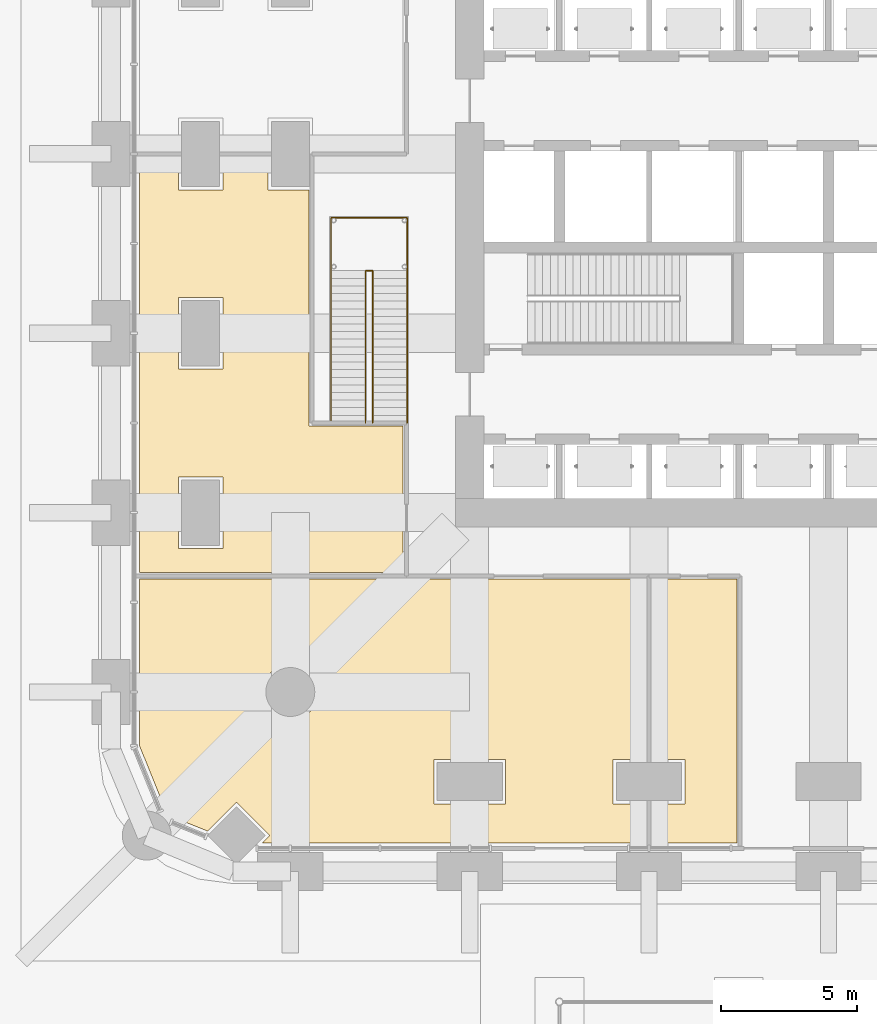
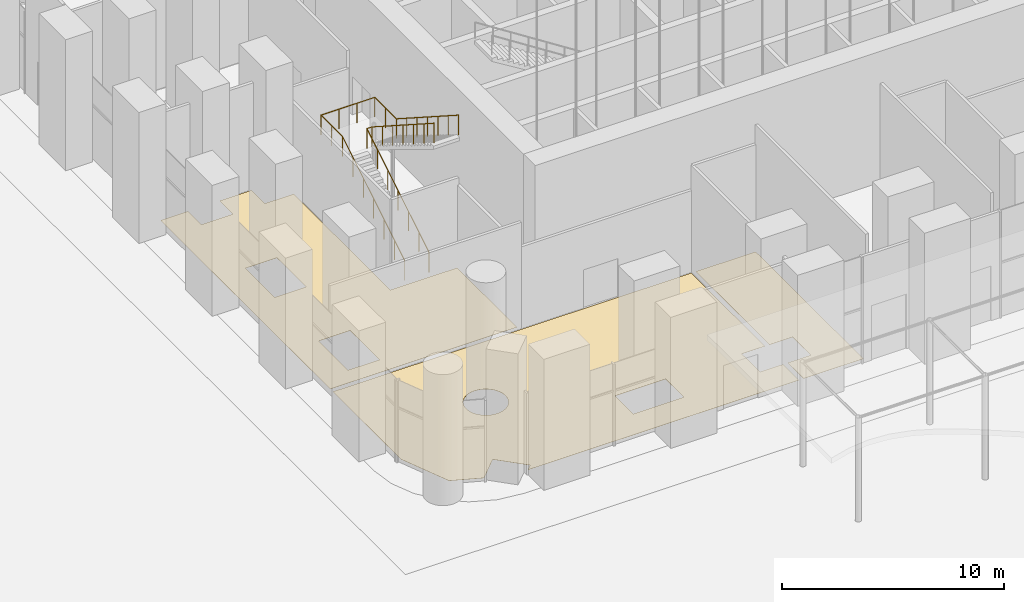
# One storey, part 19 of 32: 3 coverings, 2 railings.
"""IFC4 building model written with IfcOpenShell, lengths in metres."""

import ifcopenshell
import ifcopenshell.guid

model = None  # the IFC model being written
_history = None  # IfcOwnerHistory: only IFC2X3 demands one
_inside = {}  # id of a spatial element -> (the spatial element, [elements in it])
_under = {}  # id of a project, library or spatial element -> (it, [spatial elements below it])
_declared = {}  # id of a project -> (the project, [libraries it declares])
_typed = {}  # id of a type object -> (the type object, [elements of that type])
_made_of = {}  # id of a material, layer set ... -> (it, [elements and type objects made of it])


def new_model(schema):
    """Start an empty IFC model of exactly this schema.

    Asked for "IFC4X3", IfcOpenShell would pick the latest addendum, in which some entities
    have other attributes; the version numbers below select the first issue.
    IFC2X3 requires an IfcOwnerHistory on every rooted entity: one is made here for all.
    """
    global model, _history
    if schema == "IFC4X3":
        model = ifcopenshell.file(schema_version=(4, 3, 0, 0))
    else:
        model = ifcopenshell.file(schema=schema)
    _inside.clear()
    _under.clear()
    _declared.clear()
    _typed.clear()
    _made_of.clear()
    _history = None
    if model.schema == "IFC2X3":
        org = make("IfcOrganization", Name="unknown")
        user = make(
            "IfcPersonAndOrganization",
            ThePerson=make("IfcPerson", FamilyName="unknown"),
            TheOrganization=org,
        )
        app = make(
            "IfcApplication",
            ApplicationDeveloper=org,
            Version="unknown",
            ApplicationFullName="unknown",
            ApplicationIdentifier="unknown",
        )
        _history = make(
            "IfcOwnerHistory",
            OwningUser=user,
            OwningApplication=app,
            ChangeAction="ADDED",
            CreationDate=0,
        )
    return model


def make(cls, **values):
    """One entity of the class cls with the attributes given. An attribute that is None is left unset."""
    return model.create_entity(
        cls, **{name: value for name, value in values.items() if value is not None}
    )


def rooted(cls, **values):
    """An entity with a GlobalId (a new one), such as an element, a storey or a relation."""
    return make(cls, GlobalId=ifcopenshell.guid.new(), OwnerHistory=_history, **values)


def si_unit(unit_type, name, prefix=None):
    """IfcSIUnit, for example si_unit("LENGTHUNIT", "METRE", prefix="MILLI")."""
    return make("IfcSIUnit", UnitType=unit_type, Prefix=prefix, Name=name)


def assignment(units):
    """IfcUnitAssignment: the units of a project."""
    return None if units is None else make("IfcUnitAssignment", Units=units)


def point(xyz):
    """IfcCartesianPoint."""
    return None if xyz is None else make("IfcCartesianPoint", Coordinates=xyz)


def direction(xyz):
    """IfcDirection."""
    return None if xyz is None else make("IfcDirection", DirectionRatios=xyz)


def frame(location, z_axis=None, x_axis=None):
    """IfcAxis2Placement3D, a coordinate frame: its origin and axes. An axis left out is left unset."""
    return make(
        "IfcAxis2Placement3D",
        Location=point(location),
        Axis=direction(z_axis),
        RefDirection=direction(x_axis),
    )


def origin():
    """The frame at (0, 0, 0) with its axes left unset."""
    return frame((0.0, 0.0, 0.0))


def place(relative_to, where):
    """IfcLocalPlacement: puts the frame where relative to a parent placement (None: the world)."""
    return make(
        "IfcLocalPlacement", PlacementRelTo=relative_to, RelativePlacement=where
    )


def context(
    kind, dimensions, precision=None, world=None, true_north=None, identifier=None
):
    """IfcGeometricRepresentationContext, for example the 3D "Model" context."""
    return make(
        "IfcGeometricRepresentationContext",
        ContextIdentifier=identifier,
        ContextType=kind,
        CoordinateSpaceDimension=dimensions,
        Precision=precision,
        WorldCoordinateSystem=world,
        TrueNorth=true_north,
    )


def subcontext(parent, identifier, kind, view, scale=None):
    """IfcGeometricRepresentationSubContext, for example "Body" below "Model"."""
    return make(
        "IfcGeometricRepresentationSubContext",
        ContextIdentifier=identifier,
        ContextType=kind,
        ParentContext=parent,
        TargetScale=scale,
        TargetView=view,
    )


def project(units=None, contexts=None):
    """IfcProject with its units and contexts."""
    return rooted(
        "IfcProject",
        Name="project",
        RepresentationContexts=contexts,
        UnitsInContext=assignment(units),
    )


def spatial(cls, under=None, at=None, **own):
    """A site, building, storey or space (cls), placed at a placement, below another one or the project."""
    s = rooted(cls, ObjectPlacement=at, **own)
    if under is not None:
        _under.setdefault(under.id(), (under, []))[1].append(s)
    return s


def polyline(points):
    """IfcPolyline through the points."""
    return make("IfcPolyline", Points=[point(p) for p in points])


def outline(outer, holes=None, kind="AREA"):
    """IfcArbitraryClosedProfileDef: a profile drawn as a closed curve; with holes, ...WithVoids."""
    if holes is None:
        return make("IfcArbitraryClosedProfileDef", ProfileType=kind, OuterCurve=outer)
    return make(
        "IfcArbitraryProfileDefWithVoids",
        ProfileType=kind,
        OuterCurve=outer,
        InnerCurves=holes,
    )


def extrude(swept, where, along, depth):
    """IfcExtrudedAreaSolid: the profile swept, set in the frame where, extruded along a direction by depth."""
    return make(
        "IfcExtrudedAreaSolid",
        SweptArea=swept,
        Position=where,
        ExtrudedDirection=direction(along),
        Depth=depth,
    )


def shape(context_of_items, identifier, shape_type, items):
    """IfcShapeRepresentation: the items that make up one representation, for example the "Body"."""
    return make(
        "IfcShapeRepresentation",
        ContextOfItems=context_of_items,
        RepresentationIdentifier=identifier,
        RepresentationType=shape_type,
        Items=items,
    )


def material(Name=None, Category=None):
    """IfcMaterial."""
    return make("IfcMaterial", Name=Name, Category=Category)


def layer(
    of_material, thickness, ventilated=None, Name=None, Category=None, Priority=None
):
    """IfcMaterialLayer: one layer of a wall or slab, of a material (None: an air gap)."""
    return make(
        "IfcMaterialLayer",
        Material=of_material,
        LayerThickness=thickness,
        IsVentilated=ventilated,
        Name=Name,
        Category=Category,
        Priority=Priority,
    )


def layer_set(layers, Name=None):
    """IfcMaterialLayerSet."""
    return make("IfcMaterialLayerSet", MaterialLayers=layers, LayerSetName=Name)


def made_of(thing, what):
    """Note that an element or type object is made of a material, layer set ...; save() writes the relation."""
    if what is not None:
        _made_of.setdefault(what.id(), (what, []))[1].append(thing)
    return thing


def type_object(cls, material=None, **own):
    """A type object (cls), such as IfcWallType, which elements share."""
    return made_of(rooted(cls, **own), material)


def element(
    cls,
    number,
    at=None,
    inside=None,
    cuts=None,
    type_object=None,
    material=None,
    context=None,
    identifier="Body",
    shape_type=None,
    held_by="IfcProductDefinitionShape",
    body=None,
    shapes=None,
    **own,
):
    """One element of the class cls, such as IfcWall. Its Tag is "e" and its number.

    at: its placement. inside: the storey or other place that contains it. cuts: it is an
    opening in that element (IfcRelVoidsElement). A single representation is given by context,
    identifier, shape_type and body (its items); several are given by shapes. held_by: the class
    of the entity that holds the representations. save() writes the other relations.
    """
    e = rooted(cls, Tag="e%d" % number, ObjectPlacement=at, **own)
    if body is not None:
        shapes = [shape(context, identifier, shape_type, body)]
    if shapes is not None:
        e.Representation = make(held_by, Representations=shapes)
    if inside is not None:
        _inside.setdefault(inside.id(), (inside, []))[1].append(e)
    if cuts is not None:
        rooted(
            "IfcRelVoidsElement", RelatingBuildingElement=cuts, RelatedOpeningElement=e
        )
    if type_object is not None:
        _typed.setdefault(type_object.id(), (type_object, []))[1].append(e)
    return made_of(e, material)


def aggregate(whole, parts):
    """IfcRelAggregates: a whole, such as a stair, and the parts it consists of."""
    return rooted("IfcRelAggregates", RelatingObject=whole, RelatedObjects=parts)


def save(model, path):
    """Write the relations noted so far, then the file.

    IfcRelAggregates (storeys below a building ...), IfcRelContainedInSpatialStructure (elements
    in a storey), IfcRelDefinesByType, IfcRelAssociatesMaterial and IfcRelDeclares: one each for
    every whole, place, type object, material and project.
    """
    for whole, parts in _under.values():
        aggregate(whole, parts)
    for where, things in _inside.values():
        rooted(
            "IfcRelContainedInSpatialStructure",
            RelatedElements=things,
            RelatingStructure=where,
        )
    for kind, things in _typed.values():
        rooted("IfcRelDefinesByType", RelatedObjects=things, RelatingType=kind)
    for what, things in _made_of.values():
        rooted("IfcRelAssociatesMaterial", RelatedObjects=things, RelatingMaterial=what)
    for by, libraries in _declared.values():
        rooted("IfcRelDeclares", RelatingContext=by, RelatedDefinitions=libraries)
    model.write(path)


model = new_model("IFC4")

# Units and contexts
model_context = context("Model", 3, precision=1e-05, world=origin(), true_north=direction((0.0, 1.0)))
body_context = subcontext(model_context, "Body", "Model", "MODEL_VIEW")
ifc_project = project(units=[si_unit("LENGTHUNIT", "METRE"), si_unit("AREAUNIT", "SQUARE_METRE"), si_unit("VOLUMEUNIT", "CUBIC_METRE"), si_unit("PLANEANGLEUNIT", "RADIAN"), si_unit("MASSUNIT", "GRAM", prefix="KILO")], contexts=[model_context])

# Site, building, storey
site_placement = place(None, origin())
site = spatial("IfcSite", under=ifc_project, at=site_placement, CompositionType="ELEMENT")
building_placement = place(site_placement, origin())
building = spatial("IfcBuilding", under=site, at=building_placement, Name="Cobogo Forest Laboratory Tower", CompositionType="ELEMENT")
storey_placement = place(building_placement, origin())
storey = spatial("IfcBuildingStorey", under=building, at=storey_placement, Name="L00", CompositionType="ELEMENT", Elevation=0.0)

# Coverings
ifc_material_1 = material(Name="Carpet tile on raised access floor", Category="flooring")
ifc_layer = layer(ifc_material_1, 0.008056640625)
ifc_layer_set = layer_set([ifc_layer], Name="CT1 carpet tile floor 8")
covering_type = type_object("IfcCoveringType", Name="CT1 carpet tile floor 8", PredefinedType="FLOORING", material=ifc_layer_set)
covering_1_placement = place(storey_placement, origin())
element("IfcCovering", 1, at=covering_1_placement, inside=storey, type_object=covering_type, Name="Carpet floor L00-01", PredefinedType="FLOORING", context=body_context, shape_type="SweptSolid", body=[
    extrude(outline(polyline([(19.679931640625, 4.1201171875), (18.47998046875, 4.1201171875), (18.47998046875, 2.47998046875), (19.679931640625, 2.47998046875), (19.679931640625, 1.050048828125), (5.580322265625, 1.050048828125), (5.848388671875, 1.318115234375), (4.617919921875, 2.54833984375), (3.553466796875, 1.48388671875), (2.08056640625, 2.08056640625), (1.050048828125, 4.624267578125), (1.050048828125, 10.7548828125), (19.679931640625, 10.7548828125), (19.679931640625, 4.1201171875)]), holes=[polyline([(11.8798828125, 4.1201171875), (11.8798828125, 2.47998046875), (14.52001953125, 2.47998046875), (14.52001953125, 4.1201171875), (11.8798828125, 4.1201171875)]), polyline([(7.58935546875, 6.35205078125), (7.600341796875, 6.401123046875), (7.60888671875, 6.450439453125), (7.615234375, 6.5), (7.618896484375, 6.550048828125), (7.6201171875, 6.60009765625), (7.618896484375, 6.650146484375), (7.615234375, 6.699951171875), (7.60888671875, 6.749755859375), (7.600341796875, 6.799072265625), (7.58935546875, 6.847900390625), (7.576171875, 6.89599609375), (7.560302734375, 6.943603515625), (7.54248046875, 6.990234375), (7.522216796875, 7.0361328125), (7.49951171875, 7.080810546875), (7.474853515625, 7.12451171875), (7.4482421875, 7.166748046875), (7.419189453125, 7.20751953125), (7.388427734375, 7.2470703125), (7.355712890625, 7.284912109375), (7.3212890625, 7.3212890625), (7.284912109375, 7.355712890625), (7.2470703125, 7.388427734375), (7.20751953125, 7.419189453125), (7.166748046875, 7.4482421875), (7.12451171875, 7.474853515625), (7.080810546875, 7.49951171875), (7.0361328125, 7.522216796875), (6.990234375, 7.54248046875), (6.943603515625, 7.560302734375), (6.89599609375, 7.576171875), (6.847900390625, 7.58935546875), (6.799072265625, 7.600341796875), (6.749755859375, 7.60888671875), (6.699951171875, 7.615234375), (6.650146484375, 7.618896484375), (6.60009765625, 7.6201171875), (6.550048828125, 7.618896484375), (6.5, 7.615234375), (6.450439453125, 7.60888671875), (6.401123046875, 7.600341796875), (6.35205078125, 7.58935546875), (6.303955078125, 7.576171875), (6.25634765625, 7.560302734375), (6.209716796875, 7.54248046875), (6.163818359375, 7.522216796875), (6.119140625, 7.49951171875), (6.07568359375, 7.474853515625), (6.033203125, 7.4482421875), (5.992431640625, 7.419189453125), (5.952880859375, 7.388427734375), (5.9150390625, 7.355712890625), (5.878662109375, 7.3212890625), (5.84423828125, 7.284912109375), (5.8115234375, 7.2470703125), (5.78076171875, 7.20751953125), (5.751953125, 7.166748046875), (5.72509765625, 7.12451171875), (5.700439453125, 7.080810546875), (5.677978515625, 7.0361328125), (5.65771484375, 6.990234375), (5.6396484375, 6.943603515625), (5.623779296875, 6.89599609375), (5.610595703125, 6.847900390625), (5.599609375, 6.799072265625), (5.591064453125, 6.749755859375), (5.5849609375, 6.699951171875), (5.581298828125, 6.650146484375), (5.580078125, 6.60009765625), (5.581298828125, 6.550048828125), (5.5849609375, 6.5), (5.591064453125, 6.450439453125), (5.599609375, 6.401123046875), (5.610595703125, 6.35205078125), (5.623779296875, 6.303955078125), (5.6396484375, 6.25634765625), (5.65771484375, 6.209716796875), (5.677978515625, 6.163818359375), (5.700439453125, 6.119140625), (5.72509765625, 6.07568359375), (5.751953125, 6.033203125), (5.78076171875, 5.992431640625), (5.8115234375, 5.952880859375), (5.84423828125, 5.9150390625), (5.878662109375, 5.878662109375), (5.9150390625, 5.84423828125), (5.952880859375, 5.8115234375), (5.992431640625, 5.78076171875), (6.033203125, 5.751953125), (6.07568359375, 5.72509765625), (6.119140625, 5.700439453125), (6.163818359375, 5.677978515625), (6.209716796875, 5.65771484375), (6.25634765625, 5.6396484375), (6.303955078125, 5.623779296875), (6.35205078125, 5.610595703125), (6.401123046875, 5.599609375), (6.450439453125, 5.591064453125), (6.5, 5.5849609375), (6.550048828125, 5.581298828125), (6.60009765625, 5.580078125), (6.650146484375, 5.581298828125), (6.699951171875, 5.5849609375), (6.749755859375, 5.591064453125), (6.799072265625, 5.599609375), (6.847900390625, 5.610595703125), (6.89599609375, 5.623779296875), (6.943603515625, 5.6396484375), (6.990234375, 5.65771484375), (7.0361328125, 5.677978515625), (7.080810546875, 5.700439453125), (7.12451171875, 5.72509765625), (7.166748046875, 5.751953125), (7.20751953125, 5.78076171875), (7.2470703125, 5.8115234375), (7.284912109375, 5.84423828125), (7.3212890625, 5.878662109375), (7.355712890625, 5.9150390625), (7.388427734375, 5.952880859375), (7.419189453125, 5.992431640625), (7.4482421875, 6.033203125), (7.474853515625, 6.07568359375), (7.49951171875, 6.119140625), (7.522216796875, 6.163818359375), (7.54248046875, 6.209716796875), (7.560302734375, 6.25634765625), (7.576171875, 6.303955078125), (7.58935546875, 6.35205078125)])]), origin(), (0.0, 0.0, 1.0), 0.008056640625),
])
covering_2_placement = place(storey_placement, origin())
element("IfcCovering", 2, at=covering_2_placement, inside=storey, type_object=covering_type, Name="Carpet floor L00-02", PredefinedType="FLOORING", context=body_context, shape_type="SweptSolid", body=[
    extrude(outline(polyline([(23.030029296875, 10.7548828125), (23.030029296875, 1.050048828125), (19.919921875, 1.050048828125), (19.919921875, 2.47998046875), (21.1201171875, 2.47998046875), (21.1201171875, 4.1201171875), (19.919921875, 4.1201171875), (19.919921875, 10.7548828125), (23.030029296875, 10.7548828125)])), origin(), (0.0, 0.0, 1.0), 0.008056640625),
])
covering_3_placement = place(storey_placement, origin())
element("IfcCovering", 3, at=covering_3_placement, inside=storey, type_object=covering_type, Name="Carpet floor L00-05", PredefinedType="FLOORING", context=body_context, shape_type="SweptSolid", body=[
    extrude(outline(polyline([(1.050048828125, 10.9951171875), (1.050048828125, 26.280029296875), (2.47998046875, 26.280029296875), (2.47998046875, 25.080078125), (4.1201171875, 25.080078125), (4.1201171875, 26.280029296875), (5.780029296875, 26.280029296875), (5.780029296875, 25.080078125), (7.280029296875, 25.080078125), (7.280029296875, 16.3798828125), (10.7548828125, 16.3798828125), (10.7548828125, 10.9951171875), (1.050048828125, 10.9951171875)]), holes=[polyline([(2.47998046875, 14.52001953125), (2.47998046875, 11.8798828125), (4.1201171875, 11.8798828125), (4.1201171875, 14.52001953125), (2.47998046875, 14.52001953125)]), polyline([(2.47998046875, 18.47998046875), (4.1201171875, 18.47998046875), (4.1201171875, 21.1201171875), (2.47998046875, 21.1201171875), (2.47998046875, 18.47998046875)])]), origin(), (0.0, 0.0, 1.0), 0.008056640625),
])

# Railings
ifc_material_2 = material(Name="Steel balustrade", Category="steel")
railing_type = type_object("IfcRailingType", Name="GR stair guard 1100", PredefinedType="GUARDRAIL", material=ifc_material_2)
railing_1_placement = place(storey_placement, frame((8.10009765625, 16.5, 0.17138671875)))
element("IfcRailing", 4, at=railing_1_placement, inside=storey, type_object=railing_type, Name="Feature stair guard FST1", PredefinedType="GUARDRAIL", context=body_context, shape_type="SweptSolid", body=[
    extrude(outline(polyline([(0.022216796875, 0.00927734375), (0.00927734375, 0.022216796875), (-0.00927734375, 0.022216796875), (-0.022216796875, 0.00927734375), (-0.022216796875, -0.00927734375), (-0.00927734375, -0.022216796875), (0.00927734375, -0.022216796875), (0.022216796875, -0.00927734375), (0.022216796875, 0.00927734375)])), frame((0.0, 0.0, 1.077880859375), z_axis=(0.0, 0.852845897599, 0.522162690116), x_axis=(-1.0, 0.0, 0.0)), (0.0, 0.0, 1.0), 6.56640625),
    extrude(outline(polyline([(0.022216796875, 0.00927734375), (0.00927734375, 0.022216796875), (-0.00927734375, 0.022216796875), (-0.022216796875, 0.00927734375), (-0.022216796875, -0.00927734375), (-0.00927734375, -0.022216796875), (0.00927734375, -0.022216796875), (0.022216796875, -0.00927734375), (0.022216796875, 0.00927734375)])), frame((0.0, 5.60009765625, 4.506591796875), z_axis=(0.0, 1.0, 0.0), x_axis=(-1.0, 0.0, 0.0)), (0.0, 0.0, 1.0), 1.949951171875),
    extrude(outline(polyline([(0.022216796875, 0.00927734375), (0.00927734375, 0.022216796875), (-0.00927734375, 0.022216796875), (-0.022216796875, 0.00927734375), (-0.022216796875, -0.00927734375), (-0.00927734375, -0.022216796875), (0.00927734375, -0.022216796875), (0.022216796875, -0.00927734375), (0.022216796875, 0.00927734375)])), frame((0.0, 7.550048828125, 4.506591796875), z_axis=(1.0, 0.0, 0.0), x_axis=(0.0, 1.0, 0.0)), (0.0, 0.0, 1.0), 2.7998046875),
    extrude(outline(polyline([(0.022216796875, 0.00927734375), (0.00927734375, 0.022216796875), (-0.00927734375, 0.022216796875), (-0.022216796875, 0.00927734375), (-0.022216796875, -0.00927734375), (-0.00927734375, -0.022216796875), (0.00927734375, -0.022216796875), (0.022216796875, -0.00927734375), (0.022216796875, 0.00927734375)])), frame((2.7998046875, 7.550048828125, 4.506591796875), z_axis=(0.0, -1.0, 0.0), x_axis=(1.0, 0.0, 0.0)), (0.0, 0.0, 1.0), 1.949951171875),
    extrude(outline(polyline([(0.022216796875, 0.00927734375), (0.00927734375, 0.022216796875), (-0.00927734375, 0.022216796875), (-0.022216796875, 0.00927734375), (-0.022216796875, -0.00927734375), (-0.00927734375, -0.022216796875), (0.00927734375, -0.022216796875), (0.022216796875, -0.00927734375), (0.022216796875, 0.00927734375)])), frame((2.7998046875, 5.60009765625, 4.506591796875), z_axis=(0.0, -0.841192773368, 0.540735349347), x_axis=(1.0, 0.0, 0.0)), (0.0, 0.0, 1.0), 6.6572265625),
    extrude(outline(polyline([(0.019287109375, 0.008056640625), (0.008056640625, 0.019287109375), (-0.008056640625, 0.019287109375), (-0.019287109375, 0.008056640625), (-0.019287109375, -0.008056640625), (-0.008056640625, -0.019287109375), (0.008056640625, -0.019287109375), (0.019287109375, -0.008056640625), (0.019287109375, 0.008056640625)])), origin(), (0.0, 0.0, 1.0), 1.077880859375),
    extrude(outline(polyline([(0.019287109375, 0.008056640625), (0.008056640625, 0.019287109375), (-0.008056640625, 0.019287109375), (-0.019287109375, 0.008056640625), (-0.019287109375, -0.008056640625), (-0.008056640625, -0.019287109375), (0.008056640625, -0.019287109375), (0.019287109375, -0.008056640625), (0.019287109375, 0.008056640625)])), frame((0.0, 0.933349609375, 0.571533203125)), (0.0, 0.0, 1.0), 1.077880859375),
    extrude(outline(polyline([(0.019287109375, 0.008056640625), (0.008056640625, 0.019287109375), (-0.008056640625, 0.019287109375), (-0.019287109375, 0.008056640625), (-0.019287109375, -0.008056640625), (-0.008056640625, -0.019287109375), (0.008056640625, -0.019287109375), (0.019287109375, -0.008056640625), (0.019287109375, 0.008056640625)])), frame((0.0, 1.86669921875, 1.142822265625)), (0.0, 0.0, 1.0), 1.077880859375),
    extrude(outline(polyline([(0.019287109375, 0.008056640625), (0.008056640625, 0.019287109375), (-0.008056640625, 0.019287109375), (-0.019287109375, 0.008056640625), (-0.019287109375, -0.008056640625), (-0.008056640625, -0.019287109375), (0.008056640625, -0.019287109375), (0.019287109375, -0.008056640625), (0.019287109375, 0.008056640625)])), frame((0.0, 2.800048828125, 1.71435546875)), (0.0, 0.0, 1.0), 1.077880859375),
    extrude(outline(polyline([(0.019287109375, 0.008056640625), (0.008056640625, 0.019287109375), (-0.008056640625, 0.019287109375), (-0.019287109375, 0.008056640625), (-0.019287109375, -0.008056640625), (-0.008056640625, -0.019287109375), (0.008056640625, -0.019287109375), (0.019287109375, -0.008056640625), (0.019287109375, 0.008056640625)])), frame((0.0, 3.7333984375, 2.285888671875)), (0.0, 0.0, 1.0), 1.077880859375),
    extrude(outline(polyline([(0.019287109375, 0.008056640625), (0.008056640625, 0.019287109375), (-0.008056640625, 0.019287109375), (-0.019287109375, 0.008056640625), (-0.019287109375, -0.008056640625), (-0.008056640625, -0.019287109375), (0.008056640625, -0.019287109375), (0.019287109375, -0.008056640625), (0.019287109375, 0.008056640625)])), frame((0.0, 4.666748046875, 2.857177734375)), (0.0, 0.0, 1.0), 1.077880859375),
    extrude(outline(polyline([(0.019287109375, 0.008056640625), (0.008056640625, 0.019287109375), (-0.008056640625, 0.019287109375), (-0.019287109375, 0.008056640625), (-0.019287109375, -0.008056640625), (-0.008056640625, -0.019287109375), (0.008056640625, -0.019287109375), (0.019287109375, -0.008056640625), (0.019287109375, 0.008056640625)])), frame((0.0, 5.60009765625, 3.4287109375)), (0.0, 0.0, 1.0), 1.077880859375),
    extrude(outline(polyline([(0.019287109375, 0.008056640625), (0.008056640625, 0.019287109375), (-0.008056640625, 0.019287109375), (-0.019287109375, 0.008056640625), (-0.019287109375, -0.008056640625), (-0.008056640625, -0.019287109375), (0.008056640625, -0.019287109375), (0.019287109375, -0.008056640625), (0.019287109375, 0.008056640625)])), frame((0.0, 6.5751953125, 3.4287109375)), (0.0, 0.0, 1.0), 1.077880859375),
    extrude(outline(polyline([(0.019287109375, 0.008056640625), (0.008056640625, 0.019287109375), (-0.008056640625, 0.019287109375), (-0.019287109375, 0.008056640625), (-0.019287109375, -0.008056640625), (-0.008056640625, -0.019287109375), (0.008056640625, -0.019287109375), (0.019287109375, -0.008056640625), (0.019287109375, 0.008056640625)])), frame((0.0, 7.550048828125, 3.4287109375)), (0.0, 0.0, 1.0), 1.077880859375),
    extrude(outline(polyline([(0.019287109375, 0.008056640625), (0.008056640625, 0.019287109375), (-0.008056640625, 0.019287109375), (-0.019287109375, 0.008056640625), (-0.019287109375, -0.008056640625), (-0.008056640625, -0.019287109375), (0.008056640625, -0.019287109375), (0.019287109375, -0.008056640625), (0.019287109375, 0.008056640625)])), frame((0.933349609375, 7.550048828125, 3.4287109375)), (0.0, 0.0, 1.0), 1.077880859375),
    extrude(outline(polyline([(0.019287109375, 0.008056640625), (0.008056640625, 0.019287109375), (-0.008056640625, 0.019287109375), (-0.019287109375, 0.008056640625), (-0.019287109375, -0.008056640625), (-0.008056640625, -0.019287109375), (0.008056640625, -0.019287109375), (0.019287109375, -0.008056640625), (0.019287109375, 0.008056640625)])), frame((1.866455078125, 7.550048828125, 3.4287109375)), (0.0, 0.0, 1.0), 1.077880859375),
    extrude(outline(polyline([(0.019287109375, 0.008056640625), (0.008056640625, 0.019287109375), (-0.008056640625, 0.019287109375), (-0.019287109375, 0.008056640625), (-0.019287109375, -0.008056640625), (-0.008056640625, -0.019287109375), (0.008056640625, -0.019287109375), (0.019287109375, -0.008056640625), (0.019287109375, 0.008056640625)])), frame((2.7998046875, 7.550048828125, 3.4287109375)), (0.0, 0.0, 1.0), 1.077880859375),
    extrude(outline(polyline([(0.019287109375, 0.008056640625), (0.008056640625, 0.019287109375), (-0.008056640625, 0.019287109375), (-0.019287109375, 0.008056640625), (-0.019287109375, -0.008056640625), (-0.008056640625, -0.019287109375), (0.008056640625, -0.019287109375), (0.019287109375, -0.008056640625), (0.019287109375, 0.008056640625)])), frame((2.7998046875, 6.5751953125, 3.4287109375)), (0.0, 0.0, 1.0), 1.077880859375),
    extrude(outline(polyline([(0.019287109375, 0.008056640625), (0.008056640625, 0.019287109375), (-0.008056640625, 0.019287109375), (-0.019287109375, 0.008056640625), (-0.019287109375, -0.008056640625), (-0.008056640625, -0.019287109375), (0.008056640625, -0.019287109375), (0.019287109375, -0.008056640625), (0.019287109375, 0.008056640625)])), frame((2.7998046875, 5.60009765625, 3.4287109375)), (0.0, 0.0, 1.0), 1.077880859375),
    extrude(outline(polyline([(0.019287109375, 0.008056640625), (0.008056640625, 0.019287109375), (-0.008056640625, 0.019287109375), (-0.019287109375, 0.008056640625), (-0.019287109375, -0.008056640625), (-0.008056640625, -0.019287109375), (0.008056640625, -0.019287109375), (0.019287109375, -0.008056640625), (0.019287109375, 0.008056640625)])), frame((2.7998046875, 4.666748046875, 4.02880859375)), (0.0, 0.0, 1.0), 1.077880859375),
    extrude(outline(polyline([(0.019287109375, 0.008056640625), (0.008056640625, 0.019287109375), (-0.008056640625, 0.019287109375), (-0.019287109375, 0.008056640625), (-0.019287109375, -0.008056640625), (-0.008056640625, -0.019287109375), (0.008056640625, -0.019287109375), (0.019287109375, -0.008056640625), (0.019287109375, 0.008056640625)])), frame((2.7998046875, 3.7333984375, 4.628662109375)), (0.0, 0.0, 1.0), 1.077880859375),
    extrude(outline(polyline([(0.019287109375, 0.008056640625), (0.008056640625, 0.019287109375), (-0.008056640625, 0.019287109375), (-0.019287109375, 0.008056640625), (-0.019287109375, -0.008056640625), (-0.008056640625, -0.019287109375), (0.008056640625, -0.019287109375), (0.019287109375, -0.008056640625), (0.019287109375, 0.008056640625)])), frame((2.7998046875, 2.800048828125, 5.228515625)), (0.0, 0.0, 1.0), 1.077880859375),
    extrude(outline(polyline([(0.019287109375, 0.008056640625), (0.008056640625, 0.019287109375), (-0.008056640625, 0.019287109375), (-0.019287109375, 0.008056640625), (-0.019287109375, -0.008056640625), (-0.008056640625, -0.019287109375), (0.008056640625, -0.019287109375), (0.019287109375, -0.008056640625), (0.019287109375, 0.008056640625)])), frame((2.7998046875, 1.86669921875, 5.82861328125)), (0.0, 0.0, 1.0), 1.077880859375),
    extrude(outline(polyline([(0.019287109375, 0.008056640625), (0.008056640625, 0.019287109375), (-0.008056640625, 0.019287109375), (-0.019287109375, 0.008056640625), (-0.019287109375, -0.008056640625), (-0.008056640625, -0.019287109375), (0.008056640625, -0.019287109375), (0.019287109375, -0.008056640625), (0.019287109375, 0.008056640625)])), frame((2.7998046875, 0.933349609375, 6.4287109375)), (0.0, 0.0, 1.0), 1.077880859375),
    extrude(outline(polyline([(0.019287109375, 0.008056640625), (0.008056640625, 0.019287109375), (-0.008056640625, 0.019287109375), (-0.019287109375, 0.008056640625), (-0.019287109375, -0.008056640625), (-0.008056640625, -0.019287109375), (0.008056640625, -0.019287109375), (0.019287109375, -0.008056640625), (0.019287109375, 0.008056640625)])), frame((2.7998046875, 0.0, 7.028564453125)), (0.0, 0.0, 1.0), 1.077880859375),
])
railing_2_placement = place(storey_placement, frame((9.3701171875, 16.5, 0.17138671875)))
element("IfcRailing", 5, at=railing_2_placement, inside=storey, type_object=railing_type, Name="Feature stair well guard FST1", PredefinedType="GUARDRAIL", context=body_context, shape_type="SweptSolid", body=[
    extrude(outline(polyline([(0.022216796875, 0.00927734375), (0.00927734375, 0.022216796875), (-0.00927734375, 0.022216796875), (-0.022216796875, 0.00927734375), (-0.022216796875, -0.00927734375), (-0.00927734375, -0.022216796875), (0.00927734375, -0.022216796875), (0.022216796875, -0.00927734375), (0.022216796875, 0.00927734375)])), frame((0.0, 0.0, 1.077880859375), z_axis=(0.0, 0.852845897599, 0.522162690116), x_axis=(-1.0, 0.0, 0.0)), (0.0, 0.0, 1.0), 6.56640625),
    extrude(outline(polyline([(0.022216796875, 0.00927734375), (0.00927734375, 0.022216796875), (-0.00927734375, 0.022216796875), (-0.022216796875, 0.00927734375), (-0.022216796875, -0.00927734375), (-0.00927734375, -0.022216796875), (0.00927734375, -0.022216796875), (0.022216796875, -0.00927734375), (0.022216796875, 0.00927734375)])), frame((0.0, 5.60009765625, 4.506591796875), z_axis=(1.0, 0.0, 0.0), x_axis=(0.0, 1.0, 0.0)), (0.0, 0.0, 1.0), 0.259765625),
    extrude(outline(polyline([(0.022216796875, 0.00927734375), (0.00927734375, 0.022216796875), (-0.00927734375, 0.022216796875), (-0.022216796875, 0.00927734375), (-0.022216796875, -0.00927734375), (-0.00927734375, -0.022216796875), (0.00927734375, -0.022216796875), (0.022216796875, -0.00927734375), (0.022216796875, 0.00927734375)])), frame((0.259765625, 5.60009765625, 4.506591796875), z_axis=(0.0, -0.841192773368, 0.540735349347), x_axis=(1.0, 0.0, 0.0)), (0.0, 0.0, 1.0), 6.6572265625),
    extrude(outline(polyline([(0.019287109375, 0.008056640625), (0.008056640625, 0.019287109375), (-0.008056640625, 0.019287109375), (-0.019287109375, 0.008056640625), (-0.019287109375, -0.008056640625), (-0.008056640625, -0.019287109375), (0.008056640625, -0.019287109375), (0.019287109375, -0.008056640625), (0.019287109375, 0.008056640625)])), origin(), (0.0, 0.0, 1.0), 1.077880859375),
    extrude(outline(polyline([(0.019287109375, 0.008056640625), (0.008056640625, 0.019287109375), (-0.008056640625, 0.019287109375), (-0.019287109375, 0.008056640625), (-0.019287109375, -0.008056640625), (-0.008056640625, -0.019287109375), (0.008056640625, -0.019287109375), (0.019287109375, -0.008056640625), (0.019287109375, 0.008056640625)])), frame((0.0, 0.933349609375, 0.571533203125)), (0.0, 0.0, 1.0), 1.077880859375),
    extrude(outline(polyline([(0.019287109375, 0.008056640625), (0.008056640625, 0.019287109375), (-0.008056640625, 0.019287109375), (-0.019287109375, 0.008056640625), (-0.019287109375, -0.008056640625), (-0.008056640625, -0.019287109375), (0.008056640625, -0.019287109375), (0.019287109375, -0.008056640625), (0.019287109375, 0.008056640625)])), frame((0.0, 1.86669921875, 1.142822265625)), (0.0, 0.0, 1.0), 1.077880859375),
    extrude(outline(polyline([(0.019287109375, 0.008056640625), (0.008056640625, 0.019287109375), (-0.008056640625, 0.019287109375), (-0.019287109375, 0.008056640625), (-0.019287109375, -0.008056640625), (-0.008056640625, -0.019287109375), (0.008056640625, -0.019287109375), (0.019287109375, -0.008056640625), (0.019287109375, 0.008056640625)])), frame((0.0, 2.800048828125, 1.71435546875)), (0.0, 0.0, 1.0), 1.077880859375),
    extrude(outline(polyline([(0.019287109375, 0.008056640625), (0.008056640625, 0.019287109375), (-0.008056640625, 0.019287109375), (-0.019287109375, 0.008056640625), (-0.019287109375, -0.008056640625), (-0.008056640625, -0.019287109375), (0.008056640625, -0.019287109375), (0.019287109375, -0.008056640625), (0.019287109375, 0.008056640625)])), frame((0.0, 3.7333984375, 2.285888671875)), (0.0, 0.0, 1.0), 1.077880859375),
    extrude(outline(polyline([(0.019287109375, 0.008056640625), (0.008056640625, 0.019287109375), (-0.008056640625, 0.019287109375), (-0.019287109375, 0.008056640625), (-0.019287109375, -0.008056640625), (-0.008056640625, -0.019287109375), (0.008056640625, -0.019287109375), (0.019287109375, -0.008056640625), (0.019287109375, 0.008056640625)])), frame((0.0, 4.666748046875, 2.857177734375)), (0.0, 0.0, 1.0), 1.077880859375),
    extrude(outline(polyline([(0.019287109375, 0.008056640625), (0.008056640625, 0.019287109375), (-0.008056640625, 0.019287109375), (-0.019287109375, 0.008056640625), (-0.019287109375, -0.008056640625), (-0.008056640625, -0.019287109375), (0.008056640625, -0.019287109375), (0.019287109375, -0.008056640625), (0.019287109375, 0.008056640625)])), frame((0.0, 5.60009765625, 3.4287109375)), (0.0, 0.0, 1.0), 1.077880859375),
    extrude(outline(polyline([(0.019287109375, 0.008056640625), (0.008056640625, 0.019287109375), (-0.008056640625, 0.019287109375), (-0.019287109375, 0.008056640625), (-0.019287109375, -0.008056640625), (-0.008056640625, -0.019287109375), (0.008056640625, -0.019287109375), (0.019287109375, -0.008056640625), (0.019287109375, 0.008056640625)])), frame((0.259765625, 5.60009765625, 3.4287109375)), (0.0, 0.0, 1.0), 1.077880859375),
    extrude(outline(polyline([(0.019287109375, 0.008056640625), (0.008056640625, 0.019287109375), (-0.008056640625, 0.019287109375), (-0.019287109375, 0.008056640625), (-0.019287109375, -0.008056640625), (-0.008056640625, -0.019287109375), (0.008056640625, -0.019287109375), (0.019287109375, -0.008056640625), (0.019287109375, 0.008056640625)])), frame((0.259765625, 4.666748046875, 4.02880859375)), (0.0, 0.0, 1.0), 1.077880859375),
    extrude(outline(polyline([(0.019287109375, 0.008056640625), (0.008056640625, 0.019287109375), (-0.008056640625, 0.019287109375), (-0.019287109375, 0.008056640625), (-0.019287109375, -0.008056640625), (-0.008056640625, -0.019287109375), (0.008056640625, -0.019287109375), (0.019287109375, -0.008056640625), (0.019287109375, 0.008056640625)])), frame((0.259765625, 3.7333984375, 4.628662109375)), (0.0, 0.0, 1.0), 1.077880859375),
    extrude(outline(polyline([(0.019287109375, 0.008056640625), (0.008056640625, 0.019287109375), (-0.008056640625, 0.019287109375), (-0.019287109375, 0.008056640625), (-0.019287109375, -0.008056640625), (-0.008056640625, -0.019287109375), (0.008056640625, -0.019287109375), (0.019287109375, -0.008056640625), (0.019287109375, 0.008056640625)])), frame((0.259765625, 2.800048828125, 5.228515625)), (0.0, 0.0, 1.0), 1.077880859375),
    extrude(outline(polyline([(0.019287109375, 0.008056640625), (0.008056640625, 0.019287109375), (-0.008056640625, 0.019287109375), (-0.019287109375, 0.008056640625), (-0.019287109375, -0.008056640625), (-0.008056640625, -0.019287109375), (0.008056640625, -0.019287109375), (0.019287109375, -0.008056640625), (0.019287109375, 0.008056640625)])), frame((0.259765625, 1.86669921875, 5.82861328125)), (0.0, 0.0, 1.0), 1.077880859375),
    extrude(outline(polyline([(0.019287109375, 0.008056640625), (0.008056640625, 0.019287109375), (-0.008056640625, 0.019287109375), (-0.019287109375, 0.008056640625), (-0.019287109375, -0.008056640625), (-0.008056640625, -0.019287109375), (0.008056640625, -0.019287109375), (0.019287109375, -0.008056640625), (0.019287109375, 0.008056640625)])), frame((0.259765625, 0.933349609375, 6.4287109375)), (0.0, 0.0, 1.0), 1.077880859375),
    extrude(outline(polyline([(0.019287109375, 0.008056640625), (0.008056640625, 0.019287109375), (-0.008056640625, 0.019287109375), (-0.019287109375, 0.008056640625), (-0.019287109375, -0.008056640625), (-0.008056640625, -0.019287109375), (0.008056640625, -0.019287109375), (0.019287109375, -0.008056640625), (0.019287109375, 0.008056640625)])), frame((0.259765625, 0.0, 7.028564453125)), (0.0, 0.0, 1.0), 1.077880859375),
])

save(model, "model.ifc")
